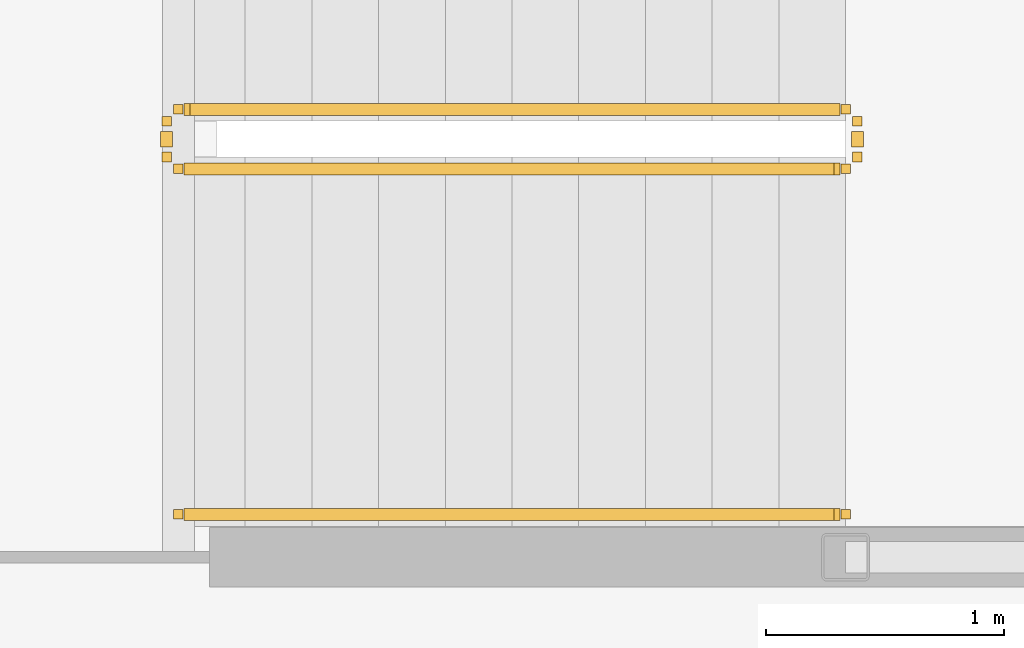
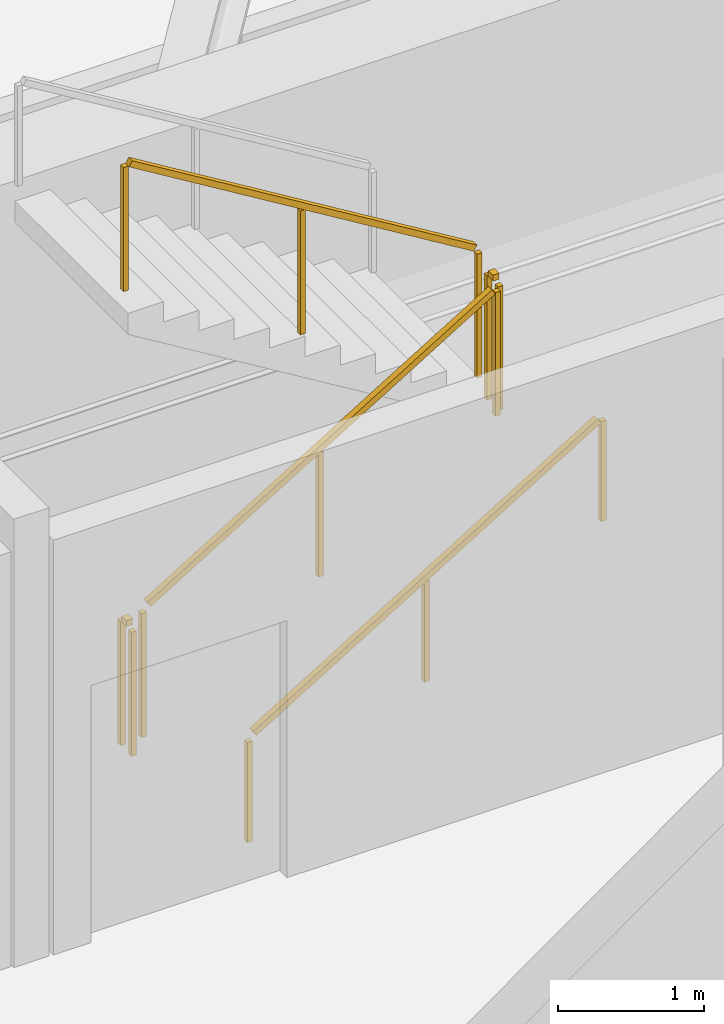
# One storey, part 19 of 20: 5 railings.
"""IFC4 building model written with IfcOpenShell, lengths in metres."""

from ifc_helpers import new_model, si_unit, direction, frame, origin, origin_2d, place, context, subcontext, project, spatial, rectangle, extrude, material, type_object, element, save


model = new_model("IFC4")

# Units and contexts
model_context = context("Model", 3, precision=1e-05, world=origin(), true_north=direction((0.0, 1.0)))
body_context = subcontext(model_context, "Body", "Model", "MODEL_VIEW")
ifc_project = project(units=[si_unit("LENGTHUNIT", "METRE"), si_unit("AREAUNIT", "SQUARE_METRE"), si_unit("VOLUMEUNIT", "CUBIC_METRE"), si_unit("PLANEANGLEUNIT", "RADIAN"), si_unit("MASSUNIT", "GRAM", prefix="KILO")], contexts=[model_context])

# Site, building, storey
site_placement = place(None, origin())
site = spatial("IfcSite", under=ifc_project, at=site_placement, CompositionType="ELEMENT")
building_placement = place(site_placement, origin())
building = spatial("IfcBuilding", under=site, at=building_placement, Name="Kazma Halo Residences", CompositionType="ELEMENT")
storey_placement = place(building_placement, frame((0.0, 0.0, 221.550048828125)))
storey = spatial("IfcBuildingStorey", under=building, at=storey_placement, Name="L56", CompositionType="ELEMENT", Elevation=221.550048828125)

# Railings
ifc_material_1 = material(Name="Painted Steel S355", Category="steel")
railing_type_1 = type_object("IfcRailingType", Name="RLG-STAIR-GRD-1100", PredefinedType="GUARDRAIL", material=ifc_material_1)
railing_1_placement = place(storey_placement, frame((53.199951171875, 48.25, 0.17041015625)))
element("IfcRailing", 1, at=railing_1_placement, inside=storey, type_object=railing_type_1, Name="L56 ST-02 stair guard 1", PredefinedType="GUARDRAIL", context=body_context, shape_type="SweptSolid", body=[
    extrude(rectangle(XDim=0.050048828125, YDim=0.050048828125, at=origin_2d()), frame((0.036376953125, 0.0, 1.09716796875), z_axis=(0.854169791009, 0.0, 0.51999420009), x_axis=(0.0, 1.0, 0.0)), (0.0, 0.0, 1.0), 3.193115234375),
    extrude(rectangle(XDim=0.0400390625, YDim=0.0400390625, at=origin_2d()), origin(), (0.0, 0.0, 1.0), 1.0380859375),
    extrude(rectangle(XDim=0.0400390625, YDim=0.0400390625, at=origin_2d()), frame((1.39990234375, 0.0, 0.852294921875)), (0.0, 0.0, 1.0), 1.0380859375),
    extrude(rectangle(XDim=0.0400390625, YDim=0.0400390625, at=origin_2d()), frame((2.800048828125, 0.0, 1.70458984375)), (0.0, 0.0, 1.0), 1.0380859375),
])
railing_2_placement = place(storey_placement, frame((56.050048828125, 48.300048828125, 1.875)))
element("IfcRailing", 2, at=railing_2_placement, inside=storey, type_object=railing_type_1, Name="L56 ST-02 stair guard 2", PredefinedType="GUARDRAIL", context=body_context, shape_type="SweptSolid", body=[
    extrude(rectangle(XDim=0.050048828125, YDim=0.050048828125, at=origin_2d()), frame((0.0, 0.04248046875, 1.0751953125), z_axis=(0.0, 1.0, 0.0), x_axis=(-1.0, 0.0, 0.0)), (0.0, 0.0, 1.0), 0.06494140625),
    extrude(rectangle(XDim=0.0400390625, YDim=0.0400390625, at=origin_2d()), origin(), (0.0, 0.0, 1.0), 1.0380859375),
    extrude(rectangle(XDim=0.0400390625, YDim=0.0400390625, at=origin_2d()), frame((0.0, 0.14990234375, 0.0)), (0.0, 0.0, 1.0), 1.0380859375),
])
railing_3_placement = place(storey_placement, frame((56.0, 48.5, 2.04541015625)))
element("IfcRailing", 3, at=railing_3_placement, inside=storey, type_object=railing_type_1, Name="L56 ST-02 stair guard 3", PredefinedType="GUARDRAIL", context=body_context, shape_type="SweptSolid", body=[
    extrude(rectangle(XDim=0.050048828125, YDim=0.050048828125, at=origin_2d()), frame((-0.036376953125, 0.0, 1.09716796875), z_axis=(-0.854169791009, 0.0, 0.51999420009), x_axis=(0.0, -1.0, 0.0)), (0.0, 0.0, 1.0), 3.193115234375),
    extrude(rectangle(XDim=0.0400390625, YDim=0.0400390625, at=origin_2d()), origin(), (0.0, 0.0, 1.0), 1.0380859375),
    extrude(rectangle(XDim=0.0400390625, YDim=0.0400390625, at=origin_2d()), frame((-1.39990234375, 0.0, 0.852294921875)), (0.0, 0.0, 1.0), 1.0380859375),
    extrude(rectangle(XDim=0.0400390625, YDim=0.0400390625, at=origin_2d()), frame((-2.800048828125, 0.0, 1.70458984375)), (0.0, 0.0, 1.0), 1.0380859375),
])
railing_4_placement = place(storey_placement, frame((53.14990234375, 48.300048828125, 0.0)))
element("IfcRailing", 4, at=railing_4_placement, inside=storey, type_object=railing_type_1, Name="L56 ST-02 stair guard 4", PredefinedType="GUARDRAIL", context=body_context, shape_type="SweptSolid", body=[
    extrude(rectangle(XDim=0.050048828125, YDim=0.050048828125, at=origin_2d()), frame((0.0, 0.04248046875, 1.0751953125), z_axis=(0.0, 1.0, 0.0), x_axis=(-1.0, 0.0, 0.0)), (0.0, 0.0, 1.0), 0.06494140625),
    extrude(rectangle(XDim=0.0400390625, YDim=0.0400390625, at=origin_2d()), origin(), (0.0, 0.0, 1.0), 1.0380859375),
    extrude(rectangle(XDim=0.0400390625, YDim=0.0400390625, at=origin_2d()), frame((0.0, 0.14990234375, 0.0)), (0.0, 0.0, 1.0), 1.0380859375),
])
ifc_material_2 = material(Name="Brushed Stainless Steel", Category="steel")
railing_type_2 = type_object("IfcRailingType", Name="RLG-STAIR-HND-900", PredefinedType="HANDRAIL", material=ifc_material_2)
railing_5_placement = place(storey_placement, frame((53.199951171875, 46.800048828125, 0.17041015625)))
element("IfcRailing", 5, at=railing_5_placement, inside=storey, type_object=railing_type_2, Name="L56 ST-02 stair handrail 1", PredefinedType="HANDRAIL", context=body_context, shape_type="SweptSolid", body=[
    extrude(rectangle(XDim=0.050048828125, YDim=0.050048828125, at=origin_2d()), frame((0.036376953125, 0.0, 0.89697265625), z_axis=(0.854169791009, 0.0, 0.51999420009), x_axis=(0.0, 1.0, 0.0)), (0.0, 0.0, 1.0), 3.193115234375),
    extrude(rectangle(XDim=0.0400390625, YDim=0.0400390625, at=origin_2d()), origin(), (0.0, 0.0, 1.0), 0.837890625),
    extrude(rectangle(XDim=0.0400390625, YDim=0.0400390625, at=origin_2d()), frame((1.39990234375, 0.0, 0.852294921875)), (0.0, 0.0, 1.0), 0.837890625),
    extrude(rectangle(XDim=0.0400390625, YDim=0.0400390625, at=origin_2d()), frame((2.800048828125, 0.0, 1.70458984375)), (0.0, 0.0, 1.0), 0.837890625),
])

save(model, "model.ifc")
